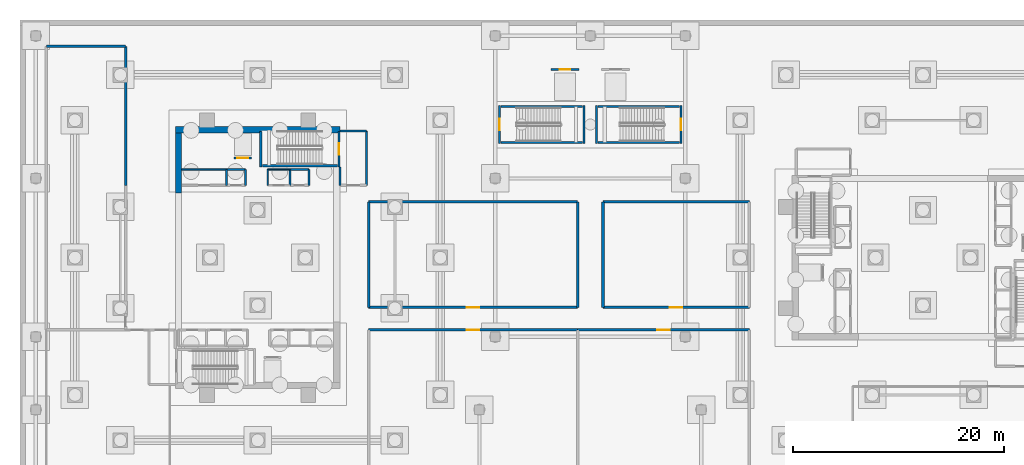
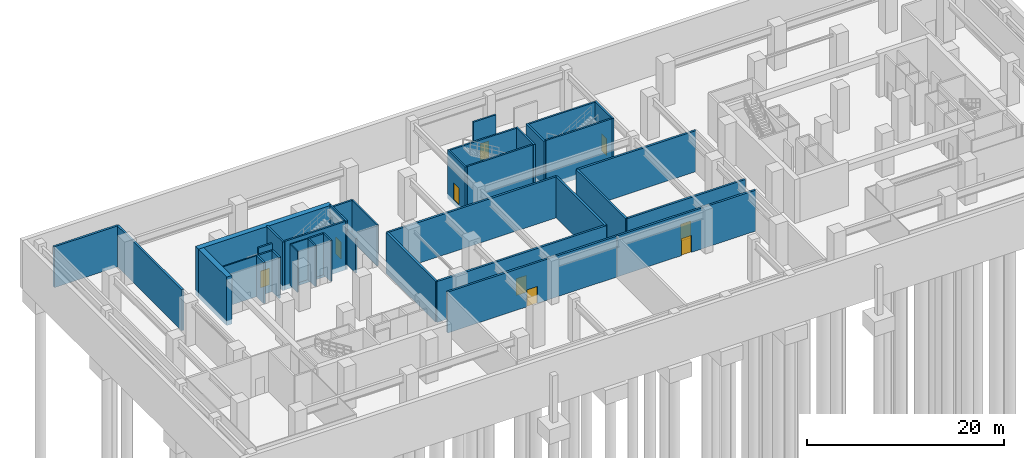
# One storey, part 7 of 14: 38 walls, 9 doors, 9 openings.
"""IFC4 building model written with IfcOpenShell, lengths in metres."""

from ifc_helpers import new_model, si_unit, direction, frame, frame_2d, origin, place, context, subcontext, project, spatial, rectangle, extrude, material, layer, layer_set, type_object, element, fill, save


model = new_model("IFC4")

# Units and contexts
model_context = context("Model", 3, precision=1e-05, world=origin(), true_north=direction((0.0, 1.0)))
body_context = subcontext(model_context, "Body", "Model", "MODEL_VIEW")
ifc_project = project(units=[si_unit("LENGTHUNIT", "METRE"), si_unit("AREAUNIT", "SQUARE_METRE"), si_unit("VOLUMEUNIT", "CUBIC_METRE"), si_unit("PLANEANGLEUNIT", "RADIAN"), si_unit("MASSUNIT", "GRAM", prefix="KILO")], contexts=[model_context])

# Site, building, storey
site_placement = place(None, origin())
site = spatial("IfcSite", under=ifc_project, at=site_placement, CompositionType="ELEMENT")
building_placement = place(site_placement, origin())
building = spatial("IfcBuilding", under=site, at=building_placement, Name="Thornwick Lancets Civic Towers", CompositionType="ELEMENT")
storey_placement = place(building_placement, frame((0.0, 0.0, -5.39990234375)))
storey = spatial("IfcBuildingStorey", under=building, at=storey_placement, Name="B01", CompositionType="ELEMENT", Elevation=-5.39990234375)

# Wall, opening, door
ifc_material_1 = material(Name="Concrete blockwork C40/50", Category="masonry")
ifc_layer_1 = layer(ifc_material_1, 0.199951171875, Name="Concrete blockwork C40/50")
ifc_layer_set_1 = layer_set([ifc_layer_1], Name="Concrete blockwork C40/50")
wall_type_1 = type_object("IfcWallType", Name="WALL_COMP_200", PredefinedType="STANDARD", material=ifc_layer_set_1)
wall_1_placement = place(storey_placement, frame((24.919921875, 36.449951171875, 0.0), z_axis=(0.0, 0.0, 1.0), x_axis=(-1.0, 0.0, 0.0)))
wall_1 = element("IfcWall", 1, at=wall_1_placement, inside=storey, type_object=wall_type_1, Name="B01 Hoistway Front Wall FL-A2", PredefinedType="STANDARD", context=body_context, shape_type="SweptSolid", body=[
    extrude(rectangle(XDim=1.639892578125, YDim=0.199951171875, at=frame_2d((0.81982421875, 0.0))), origin(), (0.0, 0.0, 1.0), 5.059814453125),
])
opening_1_placement = place(wall_1_placement, frame((0.31005859375, 0.0, 0.0)))
opening_1 = element("IfcOpeningElement", 2, at=opening_1_placement, cuts=wall_1, Name="Opening LD-FL-A2", PredefinedType="OPENING", context=body_context, shape_type="SweptSolid", body=[
    extrude(rectangle(XDim=1.02001953125, YDim=2.06005859375, at=frame_2d((0.510009765625, 1.030029296875))), frame((0.0, 0.10986328125, 0.0), z_axis=(0.0, -1.0, 0.0), x_axis=(1.0, 0.0, 0.0)), (0.0, 0.0, 1.0), 0.219970703125),
])
ifc_material_2 = material(Name="Brushed bronze stainless steel", Category="steel")
door_type_1 = type_object("IfcDoorType", Name="DOOR_LIFT_SLIDE", OperationType="SLIDING_TO_LEFT", PredefinedType="DOOR", material=ifc_material_2)
door_1_placement = place(opening_1_placement, origin())
door_1 = element("IfcDoor", 3, at=door_1_placement, inside=storey, type_object=door_type_1, Name="B01 Sliding Lift Landing Door LD-FL-A2", OperationType="SLIDING_TO_LEFT", OverallHeight=2.06005859375, OverallWidth=1.02001953125, PredefinedType="DOOR", context=body_context, shape_type="SweptSolid", body=[
    extrude(rectangle(XDim=1.02001953125, YDim=2.06005859375, at=frame_2d((0.510009765625, 1.030029296875))), frame((0.0, 0.02490234375, 0.0), z_axis=(0.0, -1.0, 0.0), x_axis=(1.0, 0.0, 0.0)), (0.0, 0.0, 1.0), 0.050048828125),
])
fill(opening_1, door_1)

wall_2_placement = place(storey_placement, frame((53.280029296875, 44.800048828125, 0.0), z_axis=(0.0, 0.0, 1.0), x_axis=(1.0, 0.0, 0.0)))
wall_2 = element("IfcWall", 4, at=wall_2_placement, inside=storey, type_object=wall_type_1, Name="B01 Hoistway Front Wall GL-P1", PredefinedType="STANDARD", context=body_context, shape_type="SweptSolid", body=[
    extrude(rectangle(XDim=2.639892578125, YDim=0.199951171875, at=frame_2d((1.31982421875, 0.0))), origin(), (0.0, 0.0, 1.0), 5.059814453125),
])
opening_2_placement = place(wall_2_placement, frame((0.81005859375, 0.0, 0.0)))
opening_2 = element("IfcOpeningElement", 5, at=opening_2_placement, cuts=wall_2, Name="Opening LD-GL-P1", PredefinedType="OPENING", context=body_context, shape_type="SweptSolid", body=[
    extrude(rectangle(XDim=1.02001953125, YDim=2.06005859375, at=frame_2d((0.510009765625, 1.030029296875))), frame((0.0, 0.10986328125, 0.0), z_axis=(0.0, -1.0, 0.0), x_axis=(1.0, 0.0, 0.0)), (0.0, 0.0, 1.0), 0.219970703125),
])
door_2_placement = place(opening_2_placement, origin())
door_2 = element("IfcDoor", 6, at=door_2_placement, inside=storey, type_object=door_type_1, Name="B01 Sliding Lift Landing Door LD-GL-P1", OperationType="SLIDING_TO_LEFT", OverallHeight=2.06005859375, OverallWidth=1.02001953125, PredefinedType="DOOR", context=body_context, shape_type="SweptSolid", body=[
    extrude(rectangle(XDim=1.02001953125, YDim=2.06005859375, at=frame_2d((0.510009765625, 1.030029296875))), frame((0.0, 0.02490234375, 0.0), z_axis=(0.0, -1.0, 0.0), x_axis=(1.0, 0.0, 0.0)), (0.0, 0.0, 1.0), 0.050048828125),
])
fill(opening_2, door_2)

# Walls
wall_3_placement = place(storey_placement, frame((35.800048828125, 33.85009765625, 0.0), z_axis=(0.0, 0.0, 1.0), x_axis=(0.0, 1.0, 0.0)))
element("IfcWall", 7, at=wall_3_placement, inside=storey, type_object=wall_type_1, Name="B01 Partition B01-A-FFLOB2 E2", PredefinedType="STANDARD", context=body_context, shape_type="SweptSolid", body=[
    extrude(rectangle(XDim=5.14990234375, YDim=0.199951171875, at=frame_2d((2.574951171875, 0.0))), origin(), (0.0, 0.0, 1.0), 5.059814453125),
])
wall_4_placement = place(storey_placement, frame((35.800048828125, 39.0, 0.0), z_axis=(0.0, 0.0, 1.0), x_axis=(-1.0, 0.0, 0.0)))
element("IfcWall", 8, at=wall_4_placement, inside=storey, type_object=wall_type_1, Name="B01 Partition B01-A-FFLOB2 E3", PredefinedType="STANDARD", context=body_context, shape_type="SweptSolid", body=[
    extrude(rectangle(XDim=2.5, YDim=0.199951171875, at=frame_2d((1.25, 0.0))), origin(), (0.0, 0.0, 1.0), 5.059814453125),
])
wall_5_placement = place(storey_placement, frame((33.300048828125, 35.60009765625, 0.0), z_axis=(0.0, 0.0, 1.0), x_axis=(0.0, -1.0, 0.0)))
element("IfcWall", 9, at=wall_5_placement, inside=storey, type_object=wall_type_1, Name="B01 Partition B01-A-FFLOB2 E4", PredefinedType="STANDARD", context=body_context, shape_type="SweptSolid", body=[
    extrude(rectangle(XDim=1.75, YDim=0.199951171875, at=frame_2d((0.875, 0.0))), origin(), (0.0, 0.0, 1.0), 4.264892578125),
])
wall_6_placement = place(storey_placement, frame((24.35009765625, 33.85009765625, 0.0), z_axis=(0.0, 0.0, 1.0), x_axis=(0.0, 1.0, 0.0)))
element("IfcWall", 10, at=wall_6_placement, inside=storey, type_object=wall_type_1, Name="B01 Partition B01-A-DUCT2 E2", PredefinedType="STANDARD", context=body_context, shape_type="SweptSolid", body=[
    extrude(rectangle(XDim=1.5, YDim=0.199951171875, at=frame_2d((0.75, 0.0))), origin(), (0.0, 0.0, 1.0), 5.059814453125),
])
wall_7_placement = place(storey_placement, frame((24.35009765625, 35.35009765625, 0.0), z_axis=(0.0, 0.0, 1.0), x_axis=(-1.0, 0.0, 0.0)))
element("IfcWall", 11, at=wall_7_placement, inside=storey, type_object=wall_type_1, Name="B01 Partition B01-A-DUCT2 E3", PredefinedType="STANDARD", context=body_context, shape_type="SweptSolid", body=[
    extrude(rectangle(XDim=1.800048828125, YDim=0.199951171875, at=frame_2d((0.89990234375, 0.0))), origin(), (0.0, 0.0, 1.0), 5.059814453125),
])
for number, where, z_axis, x_axis, name in (
    (12, (22.550048828125, 35.35009765625, 0.0), (0.0, 0.0, 1.0), (0.0, -1.0, 0.0), "B01 Partition B01-A-DUCT2 E4"),
    (13, (30.35009765625, 33.85009765625, 0.0), (0.0, 0.0, 1.0), (0.0, 1.0, 0.0), "B01 Partition B01-A-RISER2 E2"),
):
    element("IfcWall", number, at=place(storey_placement, frame(where, z_axis=z_axis, x_axis=x_axis)), inside=storey, type_object=wall_type_1, Name=name, PredefinedType="STANDARD", context=body_context, shape_type="SweptSolid", body=[
        extrude(rectangle(XDim=1.5, YDim=0.199951171875, at=frame_2d((0.75, 0.0))), origin(), (0.0, 0.0, 1.0), 5.059814453125),
    ])
wall_8_placement = place(storey_placement, frame((30.35009765625, 35.35009765625, 0.0), z_axis=(0.0, 0.0, 1.0), x_axis=(-1.0, 0.0, 0.0)))
element("IfcWall", 14, at=wall_8_placement, inside=storey, type_object=wall_type_1, Name="B01 Partition B01-A-RISER2 E3", PredefinedType="STANDARD", context=body_context, shape_type="SweptSolid", body=[
    extrude(rectangle(XDim=1.800048828125, YDim=0.199951171875, at=frame_2d((0.89990234375, 0.0))), origin(), (0.0, 0.0, 1.0), 5.059814453125),
])
wall_9_placement = place(storey_placement, frame((28.550048828125, 35.35009765625, 0.0), z_axis=(0.0, 0.0, 1.0), x_axis=(0.0, -1.0, 0.0)))
element("IfcWall", 15, at=wall_9_placement, inside=storey, type_object=wall_type_1, Name="B01 Partition B01-A-RISER2 E4", PredefinedType="STANDARD", context=body_context, shape_type="SweptSolid", body=[
    extrude(rectangle(XDim=1.5, YDim=0.199951171875, at=frame_2d((0.75, 0.0))), origin(), (0.0, 0.0, 1.0), 5.059814453125),
])

# Wall, opening, door
ifc_layer_2 = layer(ifc_material_1, 0.239990234375, Name="Concrete blockwork C40/50")
ifc_layer_set_2 = layer_set([ifc_layer_2], Name="Concrete blockwork C40/50")
wall_type_2 = type_object("IfcWallType", Name="WALL_COMP_240", PredefinedType="STANDARD", material=ifc_layer_set_2)
wall_10_placement = place(storey_placement, frame((36.0, 20.14990234375, 0.0), z_axis=(0.0, 0.0, 1.0), x_axis=(1.0, 0.0, 0.0)))
wall_10 = element("IfcWall", 16, at=wall_10_placement, inside=storey, type_object=wall_type_2, Name="B01 Partition B01-CHILL E3", PredefinedType="STANDARD", context=body_context, shape_type="SweptSolid", body=[
    extrude(rectangle(XDim=19.800048828125, YDim=0.239990234375, at=frame_2d((9.89990234375, 0.0))), origin(), (0.0, 0.0, 1.0), 5.059814453125),
])
opening_3_placement = place(wall_10_placement, frame((9.300048828125, 0.0, 0.0)))
opening_3 = element("IfcOpeningElement", 17, at=opening_3_placement, cuts=wall_10, Name="Opening D-B01-0032", PredefinedType="OPENING", context=body_context, shape_type="SweptSolid", body=[
    extrude(rectangle(XDim=1.199951171875, YDim=2.10009765625, at=frame_2d((0.60009765625, 1.050048828125))), frame((0.0, 0.1298828125, 0.0), z_axis=(0.0, -1.0, 0.0), x_axis=(1.0, 0.0, 0.0)), (0.0, 0.0, 1.0), 0.260009765625),
])
ifc_material_3 = material(Name="Steel plant room doorset", Category="steel")
door_type_2 = type_object("IfcDoorType", Name="DOOR_PLANT_1200", OperationType="NOTDEFINED", PredefinedType="DOOR", material=ifc_material_3)
door_3_placement = place(opening_3_placement, origin())
door_3 = element("IfcDoor", 18, at=door_3_placement, inside=storey, type_object=door_type_2, Name="B01 Central Chiller Plant Room Door", OperationType="SINGLE_SWING_LEFT", OverallHeight=2.10009765625, OverallWidth=1.199951171875, PredefinedType="DOOR", context=body_context, shape_type="SweptSolid", body=[
    extrude(rectangle(XDim=1.199951171875, YDim=2.10009765625, at=frame_2d((0.60009765625, 1.050048828125))), frame((0.0, 0.02490234375, 0.0), z_axis=(0.0, -1.0, 0.0), x_axis=(1.0, 0.0, 0.0)), (0.0, 0.0, 1.0), 0.050048828125),
])
fill(opening_3, door_3)

wall_11_placement = place(storey_placement, frame((55.800048828125, 20.14990234375, 0.0), z_axis=(0.0, 0.0, 1.0), x_axis=(1.0, 0.0, 0.0)))
wall_11 = element("IfcWall", 19, at=wall_11_placement, inside=storey, type_object=wall_type_2, Name="B01 Partition B01-HV E3", PredefinedType="STANDARD", context=body_context, shape_type="SweptSolid", body=[
    extrude(rectangle(XDim=16.25, YDim=0.239990234375, at=frame_2d((8.125, 0.0))), origin(), (0.0, 0.0, 1.0), 5.059814453125),
])
opening_4_placement = place(wall_11_placement, frame((7.52490234375, 0.0, 0.0)))
opening_4 = element("IfcOpeningElement", 20, at=opening_4_placement, cuts=wall_11, Name="Opening D-B01-0033", PredefinedType="OPENING", context=body_context, shape_type="SweptSolid", body=[
    extrude(rectangle(XDim=1.199951171875, YDim=2.10009765625, at=frame_2d((0.60009765625, 1.050048828125))), frame((0.0, 0.1298828125, 0.0), z_axis=(0.0, -1.0, 0.0), x_axis=(1.0, 0.0, 0.0)), (0.0, 0.0, 1.0), 0.260009765625),
])
door_4_placement = place(opening_4_placement, origin())
door_4 = element("IfcDoor", 21, at=door_4_placement, inside=storey, type_object=door_type_2, Name="HV Substation and Switchgear Room Door", OperationType="SINGLE_SWING_RIGHT", OverallHeight=2.10009765625, OverallWidth=1.199951171875, PredefinedType="DOOR", context=body_context, shape_type="SweptSolid", body=[
    extrude(rectangle(XDim=1.199951171875, YDim=2.10009765625, at=frame_2d((0.60009765625, 1.050048828125))), frame((0.0, 0.02490234375, 0.0), z_axis=(0.0, -1.0, 0.0), x_axis=(1.0, 0.0, 0.0)), (0.0, 0.0, 1.0), 0.050048828125),
])
fill(opening_4, door_4)

wall_12_placement = place(storey_placement, frame((55.800048828125, 22.300048828125, 0.0), z_axis=(0.0, 0.0, 1.0), x_axis=(-1.0, 0.0, 0.0)))
wall_12 = element("IfcWall", 22, at=wall_12_placement, inside=storey, type_object=wall_type_2, Name="B01 Partition B01-PUMP E1", PredefinedType="STANDARD", context=body_context, shape_type="SweptSolid", body=[
    extrude(rectangle(XDim=19.800048828125, YDim=0.239990234375, at=frame_2d((9.89990234375, 0.0))), origin(), (0.0, 0.0, 1.0), 5.059814453125),
])
opening_5_placement = place(wall_12_placement, frame((9.300048828125, 0.0, 0.0)))
opening_5 = element("IfcOpeningElement", 23, at=opening_5_placement, cuts=wall_12, Name="Opening D-B01-0035", PredefinedType="OPENING", context=body_context, shape_type="SweptSolid", body=[
    extrude(rectangle(XDim=1.199951171875, YDim=2.10009765625, at=frame_2d((0.60009765625, 1.050048828125))), frame((0.0, 0.1298828125, 0.0), z_axis=(0.0, -1.0, 0.0), x_axis=(1.0, 0.0, 0.0)), (0.0, 0.0, 1.0), 0.260009765625),
])
door_5_placement = place(opening_5_placement, origin())
door_5 = element("IfcDoor", 24, at=door_5_placement, inside=storey, type_object=door_type_2, Name="Sprinkler and Potable Water Tank Plant Door", OperationType="SINGLE_SWING_RIGHT", OverallHeight=2.10009765625, OverallWidth=1.199951171875, PredefinedType="DOOR", context=body_context, shape_type="SweptSolid", body=[
    extrude(rectangle(XDim=1.199951171875, YDim=2.10009765625, at=frame_2d((0.60009765625, 1.050048828125))), frame((0.0, 0.02490234375, 0.0), z_axis=(0.0, -1.0, 0.0), x_axis=(1.0, 0.0, 0.0)), (0.0, 0.0, 1.0), 0.050048828125),
])
fill(opening_5, door_5)

# Walls
wall_13_placement = place(storey_placement, frame((36.0, 22.300048828125, 0.0), z_axis=(0.0, 0.0, 1.0), x_axis=(0.0, 1.0, 0.0)))
element("IfcWall", 25, at=wall_13_placement, inside=storey, type_object=wall_type_2, Name="B01 Partition B01-PUMP E2", PredefinedType="STANDARD", context=body_context, shape_type="SweptSolid", body=[
    extrude(rectangle(XDim=9.97998046875, YDim=0.239990234375, at=frame_2d((4.989990234375, 0.0))), origin(), (0.0, 0.0, 1.0), 5.059814453125),
])
wall_14_placement = place(storey_placement, frame((36.0, 32.280029296875, 0.0), z_axis=(0.0, 0.0, 1.0), x_axis=(1.0, 0.0, 0.0)))
element("IfcWall", 26, at=wall_14_placement, inside=storey, type_object=wall_type_2, Name="B01 Partition B01-PUMP E3", PredefinedType="STANDARD", context=body_context, shape_type="SweptSolid", body=[
    extrude(rectangle(XDim=19.800048828125, YDim=0.239990234375, at=frame_2d((9.89990234375, 0.0))), origin(), (0.0, 0.0, 1.0), 5.059814453125),
])
wall_15_placement = place(storey_placement, frame((55.800048828125, 32.280029296875, 0.0), z_axis=(0.0, 0.0, 1.0), x_axis=(0.0, -1.0, 0.0)))
element("IfcWall", 27, at=wall_15_placement, inside=storey, type_object=wall_type_2, Name="B01 Partition B01-PUMP E4", PredefinedType="STANDARD", context=body_context, shape_type="SweptSolid", body=[
    extrude(rectangle(XDim=9.97998046875, YDim=0.239990234375, at=frame_2d((4.989990234375, 0.0))), origin(), (0.0, 0.0, 1.0), 5.059814453125),
])

# Wall, opening, door
wall_16_placement = place(storey_placement, frame((72.050048828125, 22.300048828125, 0.0), z_axis=(0.0, 0.0, 1.0), x_axis=(-1.0, 0.0, 0.0)))
wall_16 = element("IfcWall", 28, at=wall_16_placement, inside=storey, type_object=wall_type_2, Name="B01 Partition B01-AHU E1", PredefinedType="STANDARD", context=body_context, shape_type="SweptSolid", body=[
    extrude(rectangle(XDim=13.85009765625, YDim=0.239990234375, at=frame_2d((6.925048828125, 0.0))), origin(), (0.0, 0.0, 1.0), 5.059814453125),
])
opening_6_placement = place(wall_16_placement, frame((6.324951171875, 0.0, 0.0)))
opening_6 = element("IfcOpeningElement", 29, at=opening_6_placement, cuts=wall_16, Name="Opening D-B01-0036", PredefinedType="OPENING", context=body_context, shape_type="SweptSolid", body=[
    extrude(rectangle(XDim=1.199951171875, YDim=2.10009765625, at=frame_2d((0.60009765625, 1.050048828125))), frame((0.0, 0.1298828125, 0.0), z_axis=(0.0, -1.0, 0.0), x_axis=(1.0, 0.0, 0.0)), (0.0, 0.0, 1.0), 0.260009765625),
])
door_6_placement = place(opening_6_placement, origin())
door_6 = element("IfcDoor", 30, at=door_6_placement, inside=storey, type_object=door_type_2, Name="Basement Heat-Pump and AHU Plant Door", OperationType="SINGLE_SWING_LEFT", OverallHeight=2.10009765625, OverallWidth=1.199951171875, PredefinedType="DOOR", context=body_context, shape_type="SweptSolid", body=[
    extrude(rectangle(XDim=1.199951171875, YDim=2.10009765625, at=frame_2d((0.60009765625, 1.050048828125))), frame((0.0, 0.02490234375, 0.0), z_axis=(0.0, -1.0, 0.0), x_axis=(1.0, 0.0, 0.0)), (0.0, 0.0, 1.0), 0.050048828125),
])
fill(opening_6, door_6)

# Walls
wall_17_placement = place(storey_placement, frame((58.199951171875, 22.300048828125, 0.0), z_axis=(0.0, 0.0, 1.0), x_axis=(0.0, 1.0, 0.0)))
element("IfcWall", 31, at=wall_17_placement, inside=storey, type_object=wall_type_2, Name="B01 Partition B01-AHU E2", PredefinedType="STANDARD", context=body_context, shape_type="SweptSolid", body=[
    extrude(rectangle(XDim=9.97998046875, YDim=0.239990234375, at=frame_2d((4.989990234375, 0.0))), origin(), (0.0, 0.0, 1.0), 5.059814453125),
])
wall_18_placement = place(storey_placement, frame((58.199951171875, 32.280029296875, 0.0), z_axis=(0.0, 0.0, 1.0), x_axis=(1.0, 0.0, 0.0)))
element("IfcWall", 32, at=wall_18_placement, inside=storey, type_object=wall_type_2, Name="B01 Partition B01-AHU E3", PredefinedType="STANDARD", context=body_context, shape_type="SweptSolid", body=[
    extrude(rectangle(XDim=13.85009765625, YDim=0.239990234375, at=frame_2d((6.925048828125, 0.0))), origin(), (0.0, 0.0, 1.0), 5.059814453125),
])
wall_19_placement = place(storey_placement, frame((5.5, 47.0, 0.0), z_axis=(0.0, 0.0, 1.0), x_axis=(1.0, 0.0, 0.0)))
element("IfcWall", 33, at=wall_19_placement, inside=storey, type_object=wall_type_2, Name="B01 Partition B01-WASTE E2", PredefinedType="STANDARD", context=body_context, shape_type="SweptSolid", body=[
    extrude(rectangle(XDim=7.5, YDim=0.239990234375, at=frame_2d((3.75, 0.0))), origin(), (0.0, 0.0, 1.0), 5.059814453125),
])
wall_20_placement = place(storey_placement, frame((13.0, 47.0, 0.0), z_axis=(0.0, 0.0, 1.0), x_axis=(0.0, -1.0, 0.0)))
element("IfcWall", 34, at=wall_20_placement, inside=storey, type_object=wall_type_2, Name="B01 Partition B01-WASTE E3", PredefinedType="STANDARD", context=body_context, shape_type="SweptSolid", body=[
    extrude(rectangle(XDim=13.14990234375, YDim=0.239990234375, at=frame_2d((6.574951171875, 0.0))), origin(), (0.0, 0.0, 1.0), 5.059814453125),
])
ifc_material_4 = material(Name="Concrete C60/75", Category="concrete")
ifc_layer_3 = layer(ifc_material_4, 0.60009765625, Name="Concrete C60/75")
ifc_layer_set_3 = layer_set([ifc_layer_3], Name="Concrete C60/75")
wall_type_3 = type_object("IfcWallType", Name="WALL_CORE_600", PredefinedType="SHEAR", material=ifc_layer_set_3)
wall_21_placement = place(storey_placement, frame((17.699951171875, 39.10009765625, -0.60009765625), z_axis=(0.0, 0.0, 1.0), x_axis=(1.0, 0.0, 0.0)))
element("IfcWall", 35, at=wall_21_placement, inside=storey, type_object=wall_type_3, Name="B01 Split Core A2 Shear Wall N", PredefinedType="SHEAR", context=body_context, shape_type="SweptSolid", body=[
    extrude(rectangle(XDim=15.60009765625, YDim=0.60009765625, at=frame_2d((7.800048828125, 0.0))), origin(), (0.0, 0.0, 1.0), 6.0),
])
wall_22_placement = place(storey_placement, frame((18.0, 33.10009765625, -0.60009765625), z_axis=(0.0, 0.0, 1.0), x_axis=(0.0, 1.0, 0.0)))
element("IfcWall", 36, at=wall_22_placement, inside=storey, type_object=wall_type_3, Name="B01 Split Core A2 Shear Wall W", PredefinedType="SHEAR", context=body_context, shape_type="SweptSolid", body=[
    extrude(rectangle(XDim=5.699951171875, YDim=0.60009765625, at=frame_2d((2.85009765625, 0.0))), origin(), (0.0, 0.0, 1.0), 6.0),
])
ifc_material_5 = material(Name="Acoustic gypsum board partition")
ifc_layer_4 = layer(ifc_material_5, 0.1201171875, Name="Acoustic gypsum board partition")
ifc_layer_set_4 = layer_set([ifc_layer_4], Name="Acoustic gypsum board partition")
wall_type_4 = type_object("IfcWallType", Name="WALL_PART_120", PredefinedType="PARTITIONING", material=ifc_layer_set_4)
wall_23_placement = place(storey_placement, frame((26.449951171875, 33.85009765625, 0.0), z_axis=(0.0, 0.0, 1.0), x_axis=(0.0, 1.0, 0.0)))
element("IfcWall", 37, at=wall_23_placement, inside=storey, type_object=wall_type_4, Name="B01 Partition B01-A-ITR E1", PredefinedType="PARTITIONING", context=body_context, shape_type="SweptSolid", body=[
    extrude(rectangle(XDim=1.5, YDim=0.1201171875, at=frame_2d((0.75, 0.0))), origin(), (0.0, 0.0, 1.0), 5.059814453125),
])
wall_24_placement = place(storey_placement, frame((26.449951171875, 35.35009765625, 0.0), z_axis=(0.0, 0.0, 1.0), x_axis=(1.0, 0.0, 0.0)))
element("IfcWall", 38, at=wall_24_placement, inside=storey, type_object=wall_type_4, Name="B01 Partition B01-A-ITR E2", PredefinedType="PARTITIONING", context=body_context, shape_type="SweptSolid", body=[
    extrude(rectangle(XDim=2.10009765625, YDim=0.1201171875, at=frame_2d((1.050048828125, 0.0))), origin(), (0.0, 0.0, 1.0), 5.059814453125),
])
ifc_material_6 = material(Name="Twin-stud acoustic gypsum board")
ifc_layer_5 = layer(ifc_material_6, 0.14990234375, Name="Twin-stud acoustic gypsum board")
ifc_layer_set_5 = layer_set([ifc_layer_5], Name="Twin-stud acoustic gypsum board")
wall_type_5 = type_object("IfcWallType", Name="WALL_PART_150", PredefinedType="PARTITIONING", material=ifc_layer_set_5)
wall_25_placement = place(storey_placement, frame((18.300048828125, 35.35009765625, 0.0), z_axis=(0.0, 0.0, 1.0), x_axis=(1.0, 0.0, 0.0)))
element("IfcWall", 39, at=wall_25_placement, inside=storey, type_object=wall_type_5, Name="B01 Partition B01-A-FWC E2", PredefinedType="PARTITIONING", context=body_context, shape_type="SweptSolid", body=[
    extrude(rectangle(XDim=4.25, YDim=0.14990234375, at=frame_2d((2.125, 0.0))), origin(), (0.0, 0.0, 1.0), 5.059814453125),
])

# Wall, opening, door
ifc_material_7 = material(Name="Concrete C40/50", Category="concrete")
ifc_layer_6 = layer(ifc_material_7, 0.199951171875, Name="Concrete C40/50")
ifc_layer_set_6 = layer_set([ifc_layer_6], Name="Concrete C40/50")
wall_type_6 = type_object("IfcWallType", Name="WALL_SHAFT_200", PredefinedType="SHEAR", material=ifc_layer_set_6)
wall_26_placement = place(storey_placement, frame((33.199951171875, 38.949951171875, -0.60009765625), z_axis=(0.0, 0.0, 1.0), x_axis=(0.0, -1.0, 0.0)))
wall_26 = element("IfcWall", 40, at=wall_26_placement, inside=storey, type_object=wall_type_6, Name="B01 ST-A2 Fire Stair Core Wall NEAR", PredefinedType="SHEAR", context=body_context, shape_type="SweptSolid", body=[
    extrude(rectangle(XDim=3.349853515625, YDim=0.199951171875, at=frame_2d((1.6748046875, 0.0))), origin(), (0.0, 0.0, 1.0), 6.0),
])
opening_7_placement = place(wall_26_placement, frame((1.125, 0.0, 0.60009765625)))
opening_7 = element("IfcOpeningElement", 41, at=opening_7_placement, cuts=wall_26, Name="Opening D-ST-A2-B01", PredefinedType="OPENING", context=body_context, shape_type="SweptSolid", body=[
    extrude(rectangle(XDim=1.10009765625, YDim=2.10009765625, at=frame_2d((0.550048828125, 1.050048828125))), frame((0.0, 0.10986328125, 0.0), z_axis=(0.0, -1.0, 0.0), x_axis=(1.0, 0.0, 0.0)), (0.0, 0.0, 1.0), 0.219970703125),
])
ifc_material_8 = material(Name="Fire-resisting steel and hardwood", Category="steel")
door_type_3 = type_object("IfcDoorType", Name="DOOR_STAIR_FD60", OperationType="NOTDEFINED", PredefinedType="DOOR", material=ifc_material_8)
door_7_placement = place(opening_7_placement, origin())
door_7 = element("IfcDoor", 42, at=door_7_placement, inside=storey, type_object=door_type_3, Name="B01 ST-A2 Exit Stair Door", OperationType="SINGLE_SWING_LEFT", OverallHeight=2.10009765625, OverallWidth=1.10009765625, PredefinedType="DOOR", context=body_context, shape_type="SweptSolid", body=[
    extrude(rectangle(XDim=1.10009765625, YDim=2.10009765625, at=frame_2d((0.550048828125, 1.050048828125))), frame((0.0, 0.02490234375, 0.0), z_axis=(0.0, -1.0, 0.0), x_axis=(1.0, 0.0, 0.0)), (0.0, 0.0, 1.0), 0.050048828125),
])
fill(opening_7, door_7)

# Walls
wall_27_placement = place(storey_placement, frame((25.800048828125, 35.60009765625, -0.60009765625), z_axis=(0.0, 0.0, 1.0), x_axis=(0.0, 1.0, 0.0)))
element("IfcWall", 43, at=wall_27_placement, inside=storey, type_object=wall_type_6, Name="B01 ST-A2 Fire Stair Core Wall FAR", PredefinedType="SHEAR", context=body_context, shape_type="SweptSolid", body=[
    extrude(rectangle(XDim=3.349853515625, YDim=0.199951171875, at=frame_2d((1.6748046875, 0.0))), origin(), (0.0, 0.0, 1.0), 6.0),
])
wall_28_placement = place(storey_placement, frame((25.949951171875, 35.702880859375, -0.60009765625), z_axis=(0.0, 0.0, 1.0), x_axis=(1.0, 0.0, 0.0)))
element("IfcWall", 44, at=wall_28_placement, inside=storey, type_object=wall_type_6, Name="B01 ST-A2 Fire Stair Core Wall RIGHT", PredefinedType="SHEAR", context=body_context, shape_type="SweptSolid", body=[
    extrude(rectangle(XDim=7.10009765625, YDim=0.199951171875, at=frame_2d((3.550048828125, 0.0))), origin(), (0.0, 0.0, 1.0), 6.0),
])

# Wall, opening, door
wall_29_placement = place(storey_placement, frame((48.39990234375, 37.800048828125, -0.60009765625), z_axis=(0.0, 0.0, 1.0), x_axis=(0.0, 1.0, 0.0)))
wall_29 = element("IfcWall", 45, at=wall_29_placement, inside=storey, type_object=wall_type_6, Name="B01 ST-P5 Fire Stair Core Wall NEAR", PredefinedType="SHEAR", context=body_context, shape_type="SweptSolid", body=[
    extrude(rectangle(XDim=3.599853515625, YDim=0.199951171875, at=frame_2d((1.7998046875, 0.0))), origin(), (0.0, 0.0, 1.0), 6.0),
])
opening_8_placement = place(wall_29_placement, frame((1.25, 0.0, 0.60009765625)))
opening_8 = element("IfcOpeningElement", 46, at=opening_8_placement, cuts=wall_29, Name="Opening D-ST-P5-B01", PredefinedType="OPENING", context=body_context, shape_type="SweptSolid", body=[
    extrude(rectangle(XDim=1.10009765625, YDim=2.10009765625, at=frame_2d((0.550048828125, 1.050048828125))), frame((0.0, 0.10986328125, 0.0), z_axis=(0.0, -1.0, 0.0), x_axis=(1.0, 0.0, 0.0)), (0.0, 0.0, 1.0), 0.219970703125),
])
door_8_placement = place(opening_8_placement, origin())
door_8 = element("IfcDoor", 47, at=door_8_placement, inside=storey, type_object=door_type_3, Name="B01 ST-P5 Exit Stair Door", OperationType="SINGLE_SWING_RIGHT", OverallHeight=2.10009765625, OverallWidth=1.10009765625, PredefinedType="DOOR", context=body_context, shape_type="SweptSolid", body=[
    extrude(rectangle(XDim=1.10009765625, YDim=2.10009765625, at=frame_2d((0.550048828125, 1.050048828125))), frame((0.0, 0.02490234375, 0.0), z_axis=(0.0, -1.0, 0.0), x_axis=(1.0, 0.0, 0.0)), (0.0, 0.0, 1.0), 0.050048828125),
])
fill(opening_8, door_8)

# Walls
wall_30_placement = place(storey_placement, frame((56.39990234375, 41.39990234375, -0.60009765625), z_axis=(0.0, 0.0, 1.0), x_axis=(0.0, -1.0, 0.0)))
element("IfcWall", 48, at=wall_30_placement, inside=storey, type_object=wall_type_6, Name="B01 ST-P5 Fire Stair Core Wall FAR", PredefinedType="SHEAR", context=body_context, shape_type="SweptSolid", body=[
    extrude(rectangle(XDim=3.599853515625, YDim=0.199951171875, at=frame_2d((1.7998046875, 0.0))), origin(), (0.0, 0.0, 1.0), 6.0),
])
for number, where, z_axis, x_axis, name in (
    (49, (56.25, 41.297119140625, -0.60009765625), (0.0, 0.0, 1.0), (-1.0, 0.0, 0.0), "B01 ST-P5 Fire Stair Core Wall RIGHT"),
    (50, (48.550048828125, 37.903076171875, -0.60009765625), (0.0, 0.0, 1.0), (1.0, 0.0, 0.0), "B01 ST-P5 Fire Stair Core Wall LEFT"),
):
    element("IfcWall", number, at=place(storey_placement, frame(where, z_axis=z_axis, x_axis=x_axis)), inside=storey, type_object=wall_type_6, Name=name, PredefinedType="SHEAR", context=body_context, shape_type="SweptSolid", body=[
        extrude(rectangle(XDim=7.699951171875, YDim=0.199951171875, at=frame_2d((3.85009765625, 0.0))), origin(), (0.0, 0.0, 1.0), 6.0),
    ])

# Wall, opening, door
wall_31_placement = place(storey_placement, frame((65.60009765625, 41.39990234375, -0.60009765625), z_axis=(0.0, 0.0, 1.0), x_axis=(0.0, -1.0, 0.0)))
wall_31 = element("IfcWall", 51, at=wall_31_placement, inside=storey, type_object=wall_type_6, Name="B01 ST-P6 Fire Stair Core Wall NEAR", PredefinedType="SHEAR", context=body_context, shape_type="SweptSolid", body=[
    extrude(rectangle(XDim=3.599853515625, YDim=0.199951171875, at=frame_2d((1.7998046875, 0.0))), origin(), (0.0, 0.0, 1.0), 6.0),
])
opening_9_placement = place(wall_31_placement, frame((1.25, 0.0, 0.60009765625)))
opening_9 = element("IfcOpeningElement", 52, at=opening_9_placement, cuts=wall_31, Name="Opening D-ST-P6-B01", PredefinedType="OPENING", context=body_context, shape_type="SweptSolid", body=[
    extrude(rectangle(XDim=1.10009765625, YDim=2.10009765625, at=frame_2d((0.550048828125, 1.050048828125))), frame((0.0, 0.10986328125, 0.0), z_axis=(0.0, -1.0, 0.0), x_axis=(1.0, 0.0, 0.0)), (0.0, 0.0, 1.0), 0.219970703125),
])
door_9_placement = place(opening_9_placement, origin())
door_9 = element("IfcDoor", 53, at=door_9_placement, inside=storey, type_object=door_type_3, Name="B01 ST-P6 Exit Stair Door", OperationType="SINGLE_SWING_LEFT", OverallHeight=2.10009765625, OverallWidth=1.10009765625, PredefinedType="DOOR", context=body_context, shape_type="SweptSolid", body=[
    extrude(rectangle(XDim=1.10009765625, YDim=2.10009765625, at=frame_2d((0.550048828125, 1.050048828125))), frame((0.0, 0.02490234375, 0.0), z_axis=(0.0, -1.0, 0.0), x_axis=(1.0, 0.0, 0.0)), (0.0, 0.0, 1.0), 0.050048828125),
])
fill(opening_9, door_9)

# Walls
wall_32_placement = place(storey_placement, frame((57.60009765625, 37.800048828125, -0.60009765625), z_axis=(0.0, 0.0, 1.0), x_axis=(0.0, 1.0, 0.0)))
element("IfcWall", 54, at=wall_32_placement, inside=storey, type_object=wall_type_6, Name="B01 ST-P6 Fire Stair Core Wall FAR", PredefinedType="SHEAR", context=body_context, shape_type="SweptSolid", body=[
    extrude(rectangle(XDim=3.599853515625, YDim=0.199951171875, at=frame_2d((1.7998046875, 0.0))), origin(), (0.0, 0.0, 1.0), 6.0),
])
for number, where, z_axis, x_axis, name in (
    (55, (57.75, 37.903076171875, -0.60009765625), (0.0, 0.0, 1.0), (1.0, 0.0, 0.0), "B01 ST-P6 Fire Stair Core Wall RIGHT"),
    (56, (65.449951171875, 41.297119140625, -0.60009765625), (0.0, 0.0, 1.0), (-1.0, 0.0, 0.0), "B01 ST-P6 Fire Stair Core Wall LEFT"),
):
    element("IfcWall", number, at=place(storey_placement, frame(where, z_axis=z_axis, x_axis=x_axis)), inside=storey, type_object=wall_type_6, Name=name, PredefinedType="SHEAR", context=body_context, shape_type="SweptSolid", body=[
        extrude(rectangle(XDim=7.699951171875, YDim=0.199951171875, at=frame_2d((3.85009765625, 0.0))), origin(), (0.0, 0.0, 1.0), 6.0),
    ])

save(model, "model.ifc")
